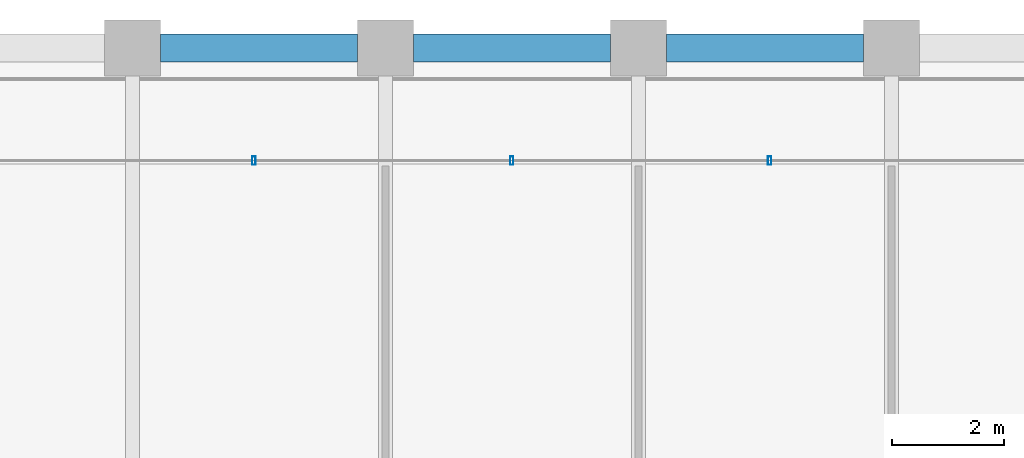
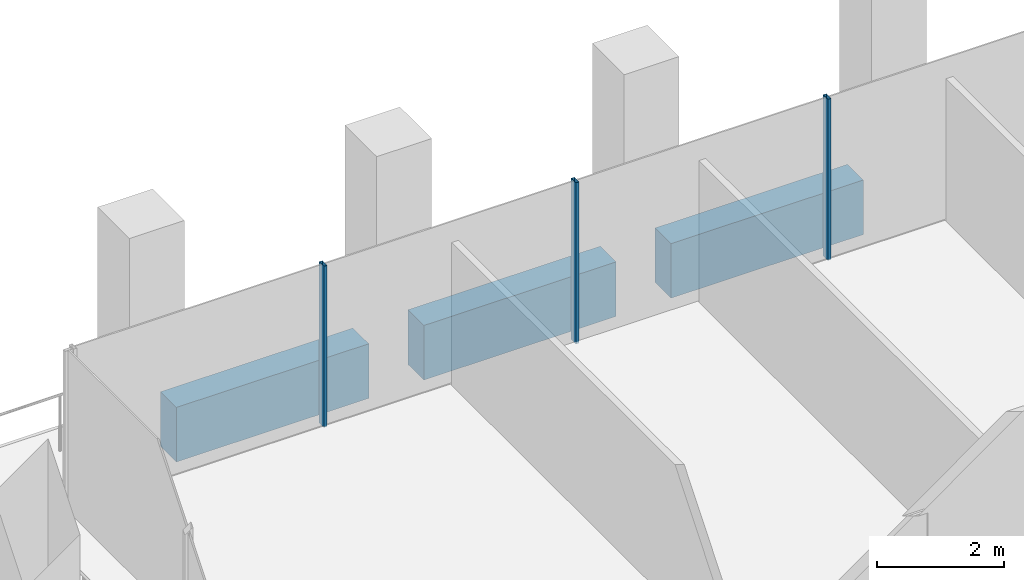
# One storey, part 23 of 46: 3 beams, 3 members, 1 element without a shape of its own.
"""IFC4 building model written with IfcOpenShell, lengths in metres."""

from ifc_helpers import new_model, si_unit, direction, frame, origin, origin_2d, place, context, subcontext, project, spatial, rectangle, hollow_rectangle, extrude, material, material_profile, profile_set, type_object, element, aggregate, save


model = new_model("IFC4")

# Units and contexts
model_context = context("Model", 3, precision=1e-05, world=origin(), true_north=direction((0.0, 1.0)))
body_context = subcontext(model_context, "Body", "Model", "MODEL_VIEW")
ifc_project = project(units=[si_unit("LENGTHUNIT", "METRE"), si_unit("AREAUNIT", "SQUARE_METRE"), si_unit("VOLUMEUNIT", "CUBIC_METRE"), si_unit("PLANEANGLEUNIT", "RADIAN"), si_unit("MASSUNIT", "GRAM", prefix="KILO")], contexts=[model_context])

# Site, building, storey
site_placement = place(None, origin())
site = spatial("IfcSite", under=ifc_project, at=site_placement, CompositionType="ELEMENT")
building_placement = place(site_placement, origin())
building = spatial("IfcBuilding", under=site, at=building_placement, Name="Altepetl Exchange Towers", CompositionType="ELEMENT")
storey_placement = place(building_placement, frame((0.0, 0.0, 120.800048828125)))
storey = spatial("IfcBuildingStorey", under=building, at=storey_placement, Name="L29", CompositionType="ELEMENT", Elevation=120.800048828125)

# Curtain wall, members
ifc_material_1 = material(Name="Aluminium 6063-T6 glazing", Category="aluminium")
curtain_wall_type = type_object("IfcCurtainWallType", Name="Loggia glazing system", PredefinedType="NOTDEFINED", material=ifc_material_1)
curtain_wall_placement = place(storey_placement, origin())
curtain_wall = element("IfcCurtainWall", 1, at=curtain_wall_placement, inside=storey, type_object=curtain_wall_type, Name="CW1 run", PredefinedType="NOTDEFINED")
ifc_material_2 = material(Name="Aluminium 6063-T6", Category="aluminium")
ifc_material_profile_1 = material_profile(ifc_material_2, hollow_rectangle(XDim=0.06005859375, YDim=0.14990234375, WallThickness=0.0029296875, at=origin_2d()), Name="Mullion 60x150 aluminium")
ifc_profile_set_1 = profile_set([ifc_material_profile_1], Name="Aluminium 6063-T6")
member_type = type_object("IfcMemberType", Name="Mullion 60x150 aluminium", PredefinedType="MULLION", material=ifc_profile_set_1)
member_1_placement = place(storey_placement, frame((56.330078125, 70.0, 0.0), z_axis=(0.0, 0.0, 1.0), x_axis=(-1.0, 0.0, 0.0)))
member_1 = element("IfcMember", 2, at=member_1_placement, type_object=member_type, Name="MU1 mullion", PredefinedType="MULLION", context=body_context, shape_type="SweptSolid", body=[
    extrude(hollow_rectangle(XDim=0.06005859375, YDim=0.14990234375, WallThickness=0.0029296875, at=origin_2d()), origin(), (0.0, 0.0, 1.0), 3.099853515625),
])
member_2_placement = place(storey_placement, frame((51.7451171875, 70.0, 0.0), z_axis=(0.0, 0.0, 1.0), x_axis=(-1.0, 0.0, 0.0)))
member_2 = element("IfcMember", 3, at=member_2_placement, type_object=member_type, Name="MU1 mullion", PredefinedType="MULLION", context=body_context, shape_type="SweptSolid", body=[
    extrude(hollow_rectangle(XDim=0.06005859375, YDim=0.14990234375, WallThickness=0.0029296875, at=origin_2d()), origin(), (0.0, 0.0, 1.0), 3.099853515625),
])
member_3_placement = place(storey_placement, frame((47.159912109375, 70.0, 0.0), z_axis=(0.0, 0.0, 1.0), x_axis=(-1.0, 0.0, 0.0)))
member_3 = element("IfcMember", 4, at=member_3_placement, type_object=member_type, Name="MU1 mullion", PredefinedType="MULLION", context=body_context, shape_type="SweptSolid", body=[
    extrude(hollow_rectangle(XDim=0.06005859375, YDim=0.14990234375, WallThickness=0.0029296875, at=origin_2d()), origin(), (0.0, 0.0, 1.0), 3.099853515625),
])
aggregate(curtain_wall, [member_1, member_2, member_3])

# Beams
ifc_material_3 = material(Name="Concrete C50/60 precast with cantera rosa facing", Category="concrete")
ifc_material_profile_2 = material_profile(ifc_material_3, rectangle(XDim=0.5, YDim=1.050048828125, at=origin_2d()), Name="500 x 1050")
ifc_profile_set_2 = profile_set([ifc_material_profile_2], Name="Concrete C50/60 precast with cantera rosa facing")
beam_type = type_object("IfcBeamType", Name="Spandrel beam 500x1050 cantera rosa", PredefinedType="SPANDREL", material=ifc_profile_set_2)
for number, where, z_axis, x_axis, name in (
    (5, (58.0, 72.0, -0.675048828125), (-1.0, 0.0, 0.0), (0.0, -1.0, 0.0), "sp:A:L29:026"),
    (6, (53.5, 72.0, -0.675048828125), (-1.0, 0.0, 0.0), (0.0, -1.0, 0.0), "sp:A:L29:027"),
    (7, (49.0, 72.0, -0.675048828125), (-1.0, 0.0, 0.0), (0.0, -1.0, 0.0), "sp:A:L29:028"),
):
    element("IfcBeam", number, at=place(storey_placement, frame(where, z_axis=z_axis, x_axis=x_axis)), inside=storey, type_object=beam_type, Name=name, PredefinedType="SPANDREL", context=body_context, shape_type="SweptSolid", body=[
        extrude(rectangle(XDim=0.5, YDim=1.050048828125, at=origin_2d()), origin(), (0.0, 0.0, 1.0), 3.5),
    ])

save(model, "model.ifc")
